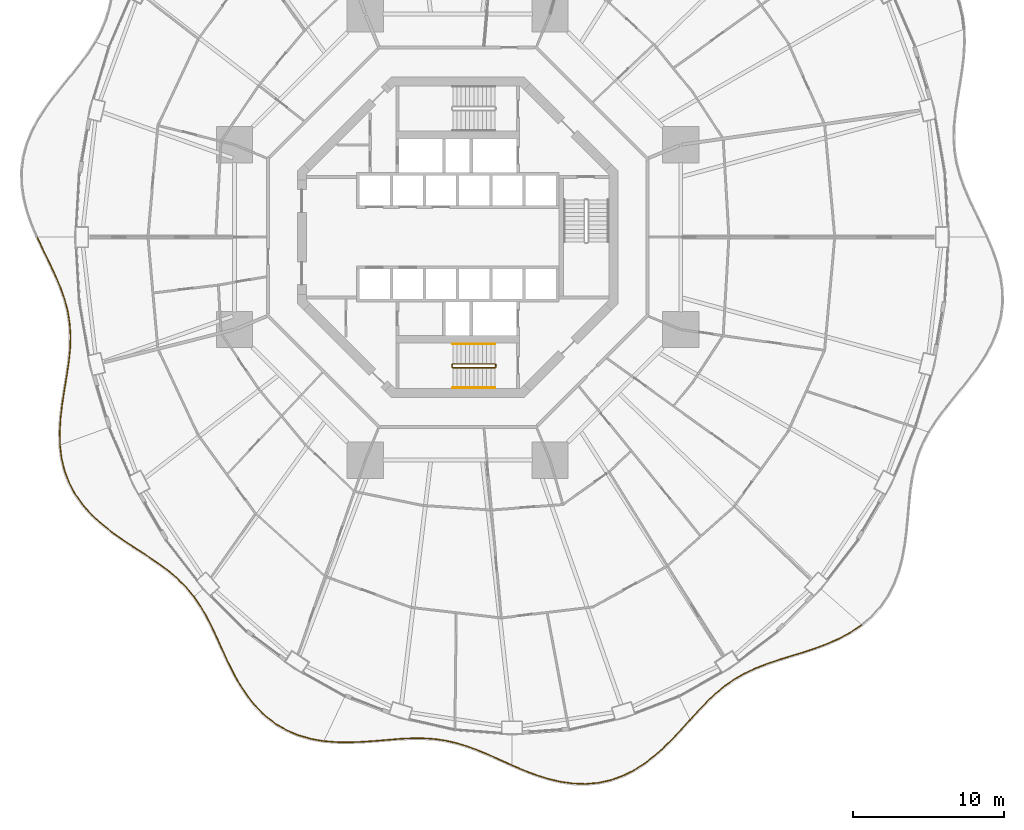
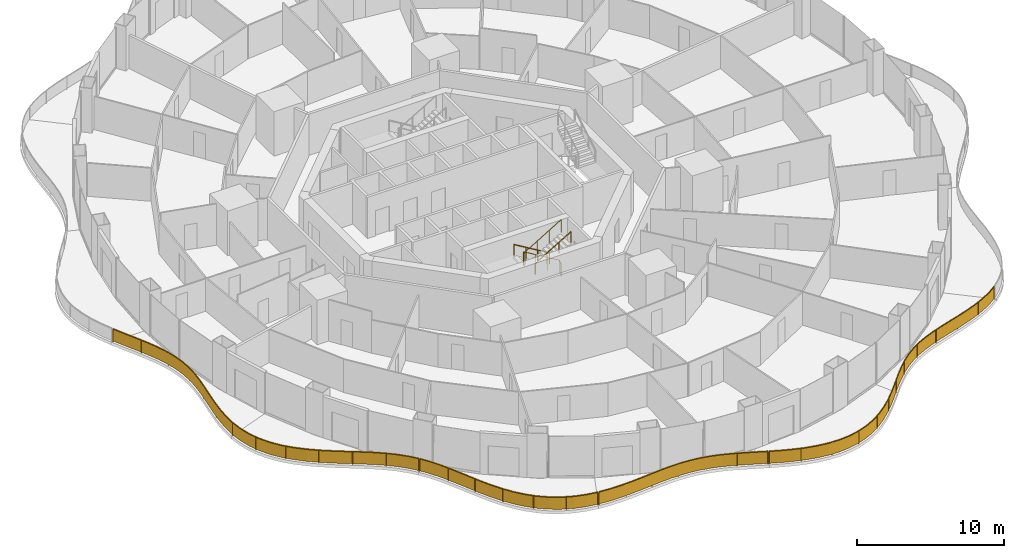
# One storey, part 19 of 21: 9 railings.
"""IFC4 building model written with IfcOpenShell, lengths in metres."""

import ifcopenshell
import ifcopenshell.guid

model = None  # the IFC model being written
_history = None  # IfcOwnerHistory: only IFC2X3 demands one
_inside = {}  # id of a spatial element -> (the spatial element, [elements in it])
_under = {}  # id of a project, library or spatial element -> (it, [spatial elements below it])
_declared = {}  # id of a project -> (the project, [libraries it declares])
_typed = {}  # id of a type object -> (the type object, [elements of that type])
_made_of = {}  # id of a material, layer set ... -> (it, [elements and type objects made of it])


def new_model(schema):
    """Start an empty IFC model of exactly this schema.

    Asked for "IFC4X3", IfcOpenShell would pick the latest addendum, in which some entities
    have other attributes; the version numbers below select the first issue.
    IFC2X3 requires an IfcOwnerHistory on every rooted entity: one is made here for all.
    """
    global model, _history
    if schema == "IFC4X3":
        model = ifcopenshell.file(schema_version=(4, 3, 0, 0))
    else:
        model = ifcopenshell.file(schema=schema)
    _inside.clear()
    _under.clear()
    _declared.clear()
    _typed.clear()
    _made_of.clear()
    _history = None
    if model.schema == "IFC2X3":
        org = make("IfcOrganization", Name="unknown")
        user = make(
            "IfcPersonAndOrganization",
            ThePerson=make("IfcPerson", FamilyName="unknown"),
            TheOrganization=org,
        )
        app = make(
            "IfcApplication",
            ApplicationDeveloper=org,
            Version="unknown",
            ApplicationFullName="unknown",
            ApplicationIdentifier="unknown",
        )
        _history = make(
            "IfcOwnerHistory",
            OwningUser=user,
            OwningApplication=app,
            ChangeAction="ADDED",
            CreationDate=0,
        )
    return model


def make(cls, **values):
    """One entity of the class cls with the attributes given. An attribute that is None is left unset."""
    return model.create_entity(
        cls, **{name: value for name, value in values.items() if value is not None}
    )


def rooted(cls, **values):
    """An entity with a GlobalId (a new one), such as an element, a storey or a relation."""
    return make(cls, GlobalId=ifcopenshell.guid.new(), OwnerHistory=_history, **values)


def si_unit(unit_type, name, prefix=None):
    """IfcSIUnit, for example si_unit("LENGTHUNIT", "METRE", prefix="MILLI")."""
    return make("IfcSIUnit", UnitType=unit_type, Prefix=prefix, Name=name)


def assignment(units):
    """IfcUnitAssignment: the units of a project."""
    return None if units is None else make("IfcUnitAssignment", Units=units)


def point(xyz):
    """IfcCartesianPoint."""
    return None if xyz is None else make("IfcCartesianPoint", Coordinates=xyz)


def direction(xyz):
    """IfcDirection."""
    return None if xyz is None else make("IfcDirection", DirectionRatios=xyz)


def frame(location, z_axis=None, x_axis=None):
    """IfcAxis2Placement3D, a coordinate frame: its origin and axes. An axis left out is left unset."""
    return make(
        "IfcAxis2Placement3D",
        Location=point(location),
        Axis=direction(z_axis),
        RefDirection=direction(x_axis),
    )


def frame_2d(location, x_axis=None):
    """IfcAxis2Placement2D, a coordinate frame in the plane: its origin and x axis."""
    return make(
        "IfcAxis2Placement2D", Location=point(location), RefDirection=direction(x_axis)
    )


def origin():
    """The frame at (0, 0, 0) with its axes left unset."""
    return frame((0.0, 0.0, 0.0))


def origin_2d():
    """The frame at (0, 0) in the plane with its x axis left unset."""
    return frame_2d((0.0, 0.0))


def place(relative_to, where):
    """IfcLocalPlacement: puts the frame where relative to a parent placement (None: the world)."""
    return make(
        "IfcLocalPlacement", PlacementRelTo=relative_to, RelativePlacement=where
    )


def context(
    kind, dimensions, precision=None, world=None, true_north=None, identifier=None
):
    """IfcGeometricRepresentationContext, for example the 3D "Model" context."""
    return make(
        "IfcGeometricRepresentationContext",
        ContextIdentifier=identifier,
        ContextType=kind,
        CoordinateSpaceDimension=dimensions,
        Precision=precision,
        WorldCoordinateSystem=world,
        TrueNorth=true_north,
    )


def subcontext(parent, identifier, kind, view, scale=None):
    """IfcGeometricRepresentationSubContext, for example "Body" below "Model"."""
    return make(
        "IfcGeometricRepresentationSubContext",
        ContextIdentifier=identifier,
        ContextType=kind,
        ParentContext=parent,
        TargetScale=scale,
        TargetView=view,
    )


def project(units=None, contexts=None):
    """IfcProject with its units and contexts."""
    return rooted(
        "IfcProject",
        Name="project",
        RepresentationContexts=contexts,
        UnitsInContext=assignment(units),
    )


def spatial(cls, under=None, at=None, **own):
    """A site, building, storey or space (cls), placed at a placement, below another one or the project."""
    s = rooted(cls, ObjectPlacement=at, **own)
    if under is not None:
        _under.setdefault(under.id(), (under, []))[1].append(s)
    return s


def polyline(points):
    """IfcPolyline through the points."""
    return make("IfcPolyline", Points=[point(p) for p in points])


def profile(cls, at=None, kind="AREA", **sizes):
    """A parametric profile (cls). Its sizes go by their IFC names, for example OverallWidth=200.0."""
    return make(cls, ProfileType=kind, Position=at, **sizes)


def rectangle(**sizes):
    """IfcRectangleProfileDef."""
    return profile("IfcRectangleProfileDef", **sizes)


def circle(**sizes):
    """IfcCircleProfileDef."""
    return profile("IfcCircleProfileDef", **sizes)


def outline(outer, holes=None, kind="AREA"):
    """IfcArbitraryClosedProfileDef: a profile drawn as a closed curve; with holes, ...WithVoids."""
    if holes is None:
        return make("IfcArbitraryClosedProfileDef", ProfileType=kind, OuterCurve=outer)
    return make(
        "IfcArbitraryProfileDefWithVoids",
        ProfileType=kind,
        OuterCurve=outer,
        InnerCurves=holes,
    )


def extrude(swept, where, along, depth):
    """IfcExtrudedAreaSolid: the profile swept, set in the frame where, extruded along a direction by depth."""
    return make(
        "IfcExtrudedAreaSolid",
        SweptArea=swept,
        Position=where,
        ExtrudedDirection=direction(along),
        Depth=depth,
    )


def shape(context_of_items, identifier, shape_type, items):
    """IfcShapeRepresentation: the items that make up one representation, for example the "Body"."""
    return make(
        "IfcShapeRepresentation",
        ContextOfItems=context_of_items,
        RepresentationIdentifier=identifier,
        RepresentationType=shape_type,
        Items=items,
    )


def material(Name=None, Category=None):
    """IfcMaterial."""
    return make("IfcMaterial", Name=Name, Category=Category)


def made_of(thing, what):
    """Note that an element or type object is made of a material, layer set ...; save() writes the relation."""
    if what is not None:
        _made_of.setdefault(what.id(), (what, []))[1].append(thing)
    return thing


def type_object(cls, material=None, **own):
    """A type object (cls), such as IfcWallType, which elements share."""
    return made_of(rooted(cls, **own), material)


def element(
    cls,
    number,
    at=None,
    inside=None,
    cuts=None,
    type_object=None,
    material=None,
    context=None,
    identifier="Body",
    shape_type=None,
    held_by="IfcProductDefinitionShape",
    body=None,
    shapes=None,
    **own,
):
    """One element of the class cls, such as IfcWall. Its Tag is "e" and its number.

    at: its placement. inside: the storey or other place that contains it. cuts: it is an
    opening in that element (IfcRelVoidsElement). A single representation is given by context,
    identifier, shape_type and body (its items); several are given by shapes. held_by: the class
    of the entity that holds the representations. save() writes the other relations.
    """
    e = rooted(cls, Tag="e%d" % number, ObjectPlacement=at, **own)
    if body is not None:
        shapes = [shape(context, identifier, shape_type, body)]
    if shapes is not None:
        e.Representation = make(held_by, Representations=shapes)
    if inside is not None:
        _inside.setdefault(inside.id(), (inside, []))[1].append(e)
    if cuts is not None:
        rooted(
            "IfcRelVoidsElement", RelatingBuildingElement=cuts, RelatedOpeningElement=e
        )
    if type_object is not None:
        _typed.setdefault(type_object.id(), (type_object, []))[1].append(e)
    return made_of(e, material)


def aggregate(whole, parts):
    """IfcRelAggregates: a whole, such as a stair, and the parts it consists of."""
    return rooted("IfcRelAggregates", RelatingObject=whole, RelatedObjects=parts)


def save(model, path):
    """Write the relations noted so far, then the file.

    IfcRelAggregates (storeys below a building ...), IfcRelContainedInSpatialStructure (elements
    in a storey), IfcRelDefinesByType, IfcRelAssociatesMaterial and IfcRelDeclares: one each for
    every whole, place, type object, material and project.
    """
    for whole, parts in _under.values():
        aggregate(whole, parts)
    for where, things in _inside.values():
        rooted(
            "IfcRelContainedInSpatialStructure",
            RelatedElements=things,
            RelatingStructure=where,
        )
    for kind, things in _typed.values():
        rooted("IfcRelDefinesByType", RelatedObjects=things, RelatingType=kind)
    for what, things in _made_of.values():
        rooted("IfcRelAssociatesMaterial", RelatedObjects=things, RelatingMaterial=what)
    for by, libraries in _declared.values():
        rooted("IfcRelDeclares", RelatingContext=by, RelatedDefinitions=libraries)
    model.write(path)


model = new_model("IFC4")

# Units and contexts
model_context = context("Model", 3, precision=1e-05, world=origin(), true_north=direction((0.0, 1.0)))
body_context = subcontext(model_context, "Body", "Model", "MODEL_VIEW")
ifc_project = project(units=[si_unit("LENGTHUNIT", "METRE"), si_unit("AREAUNIT", "SQUARE_METRE"), si_unit("VOLUMEUNIT", "CUBIC_METRE"), si_unit("PLANEANGLEUNIT", "RADIAN"), si_unit("MASSUNIT", "GRAM", prefix="KILO")], contexts=[model_context])

# Site, building, storey
site_placement = place(None, origin())
site = spatial("IfcSite", under=ifc_project, at=site_placement, CompositionType="ELEMENT")
building_placement = place(site_placement, origin())
building = spatial("IfcBuilding", under=site, at=building_placement, Name="Nagisa Residences", CompositionType="ELEMENT")
storey_placement = place(building_placement, frame((0.0, 0.0, 60.300048828125)))
storey = spatial("IfcBuildingStorey", under=building, at=storey_placement, Name="L14", CompositionType="ELEMENT", Elevation=60.300048828125)

# Railings
ifc_material_1 = material(Name="Stainless steel 316", Category="steel")
railing_type_1 = type_object("IfcRailingType", Name="BALCONY GUARD 1100", PredefinedType="BALUSTRADE", material=ifc_material_1)
railing_1_placement = place(storey_placement, frame((-27.84765625, -0.03466796875, 0.0)))
element("IfcRailing", 1, at=railing_1_placement, inside=storey, type_object=railing_type_1, Name="guard:L14:bal08-0", PredefinedType="BALUSTRADE", context=body_context, shape_type="SweptSolid", body=[
    extrude(outline(polyline([(0.402587890625, -0.800048828125), (0.022705078125, 0.010498046875), (-0.022705078125, -0.010498046875), (0.357177734375, -0.821533203125), (0.762451171875, -1.6572265625), (1.148681640625, -2.47802734375), (1.49365234375, -3.287109375), (1.7783203125, -4.09033203125), (1.98779296875, -4.880615234375), (2.11767578125, -5.69189453125), (2.1669921875, -6.51708984375), (2.142578125, -7.361328125), (2.056396484375, -8.228271484375), (1.924560546875, -9.104736328125), (1.775390625, -10.0166015625), (1.630859375, -10.945068359375), (1.5166015625, -11.883544921875), (1.457275390625, -12.822509765625), (1.47216796875, -13.705078125), (1.52197265625, -13.7041015625), (1.507568359375, -12.823486328125), (1.56640625, -11.887939453125), (1.6806640625, -10.951904296875), (1.82470703125, -10.0244140625), (1.973876953125, -9.112548828125), (2.106201171875, -8.234619140625), (2.1923828125, -7.36474609375), (2.21728515625, -6.51611328125), (2.16748046875, -5.6865234375), (2.03662109375, -4.870361328125), (1.826171875, -4.07568359375), (1.54052734375, -3.26904296875), (1.194580078125, -2.45751953125), (0.807373046875, -1.6357421875), (0.402587890625, -0.800048828125)])), frame((0.0, 0.0, 1.050048828125)), (0.0, 0.0, 1.0), 0.050048828125),
    extrude(outline(polyline([(0.38623046875, -0.807861328125), (0.00634765625, 0.0029296875), (-0.00634765625, -0.0029296875), (0.37353515625, -0.813720703125), (0.778564453125, -1.6494140625), (1.165283203125, -2.470703125), (1.510498046875, -3.280517578125), (1.795654296875, -4.0849609375), (2.00537109375, -4.876953125), (2.135498046875, -5.68994140625), (2.18505859375, -6.5166015625), (2.160400390625, -7.362548828125), (2.074462890625, -8.23046875), (1.9423828125, -9.107666015625), (1.793212890625, -10.019287109375), (1.64892578125, -10.947509765625), (1.534423828125, -11.885009765625), (1.475341796875, -12.82275390625), (1.489990234375, -13.70458984375), (1.504150390625, -13.70458984375), (1.489501953125, -12.8232421875), (1.548583984375, -11.886474609375), (1.66259765625, -10.949462890625), (1.806884765625, -10.021728515625), (1.9560546875, -9.109619140625), (2.088134765625, -8.232421875), (2.174560546875, -7.363525390625), (2.19921875, -6.5166015625), (2.149658203125, -5.6884765625), (2.01904296875, -4.8740234375), (1.808837890625, -4.0810546875), (1.523681640625, -3.275634765625), (1.177978515625, -2.46484375), (0.791259765625, -1.6435546875), (0.38623046875, -0.807861328125)])), frame((0.0, 0.0, 0.06005859375)), (0.0, 0.0, 1.0), 0.989990234375),
    extrude(rectangle(XDim=0.0400390625, YDim=0.0400390625, at=origin_2d()), origin(), (0.0, 0.0, 1.0), 1.050048828125),
    extrude(rectangle(XDim=0.0400390625, YDim=0.0400390625, at=origin_2d()), frame((1.01416015625, -2.133544921875, 0.0)), (0.0, 0.0, 1.0), 1.050048828125),
    extrude(rectangle(XDim=0.0400390625, YDim=0.0400390625, at=origin_2d()), frame((1.868408203125, -4.33251953125, 0.0)), (0.0, 0.0, 1.0), 1.050048828125),
    extrude(rectangle(XDim=0.0400390625, YDim=0.0400390625, at=origin_2d()), frame((2.187744140625, -6.6640625, 0.0)), (0.0, 0.0, 1.0), 1.050048828125),
    extrude(rectangle(XDim=0.0400390625, YDim=0.0400390625, at=origin_2d()), frame((1.963623046875, -9.01318359375, 0.0)), (0.0, 0.0, 1.0), 1.050048828125),
    extrude(rectangle(XDim=0.0400390625, YDim=0.0400390625, at=origin_2d()), frame((1.60693359375, -11.34814453125, 0.0)), (0.0, 0.0, 1.0), 1.050048828125),
    extrude(rectangle(XDim=0.0400390625, YDim=0.0400390625, at=origin_2d()), frame((1.4970703125, -13.70458984375, 0.0)), (0.0, 0.0, 1.0), 1.050048828125),
])
railing_2_placement = place(storey_placement, frame((-26.345947265625, -13.81640625, 0.0)))
element("IfcRailing", 2, at=railing_2_placement, inside=storey, type_object=railing_type_1, Name="guard:L14:bal09-0", PredefinedType="BALUSTRADE", context=body_context, shape_type="SweptSolid", body=[
    extrude(outline(polyline([(0.1240234375, -0.828369140625), (0.02490234375, 0.0029296875), (-0.02490234375, -0.0029296875), (0.07470703125, -0.837158203125), (0.281005859375, -1.688232421875), (0.592041015625, -2.5), (1.007080078125, -3.265869140625), (1.520263671875, -3.981201171875), (2.11328125, -4.630859375), (2.78369140625, -5.242919921875), (3.505126953125, -5.8095703125), (4.25732421875, -6.33935546875), (5.018798828125, -6.8427734375), (5.7607421875, -7.320068359375), (6.482177734375, -7.810791015625), (7.16015625, -8.3154296875), (7.78515625, -8.847412109375), (8.35205078125, -9.417724609375), (8.8349609375, -10.002685546875), (8.87353515625, -9.970947265625), (8.38916015625, -9.384033203125), (7.8193359375, -8.810791015625), (7.19140625, -8.2763671875), (6.510986328125, -7.769775390625), (5.78857421875, -7.278564453125), (5.046142578125, -6.80078125), (4.28564453125, -6.2978515625), (3.534912109375, -5.76953125), (2.81591796875, -5.204833984375), (2.14892578125, -4.59521484375), (1.559326171875, -3.949462890625), (1.049560546875, -3.239013671875), (0.637451171875, -2.47900390625), (0.328857421875, -1.673095703125), (0.1240234375, -0.828369140625)])), frame((0.0, 0.0, 1.050048828125)), (0.0, 0.0, 1.0), 0.050048828125),
    extrude(outline(polyline([(0.106201171875, -0.83154296875), (0.0068359375, 0.000732421875), (-0.0068359375, -0.000732421875), (0.092529296875, -0.833984375), (0.29833984375, -1.682861328125), (0.6083984375, -2.492431640625), (1.0224609375, -3.256103515625), (1.534423828125, -3.9697265625), (2.126220703125, -4.617919921875), (2.795166015625, -5.229248046875), (3.515869140625, -5.795166015625), (4.267578125, -6.324462890625), (5.028564453125, -6.82763671875), (5.770751953125, -7.30517578125), (6.492431640625, -7.7958984375), (7.17138671875, -8.30126953125), (7.797607421875, -8.834228515625), (8.365478515625, -9.405517578125), (8.848876953125, -9.9912109375), (8.859619140625, -9.982421875), (8.375732421875, -9.396240234375), (7.806884765625, -8.823974609375), (7.18017578125, -8.29052734375), (6.500732421875, -7.78466796875), (5.778564453125, -7.29345703125), (5.036376953125, -6.81591796875), (4.275390625, -6.312744140625), (3.524169921875, -5.783935546875), (2.804443359375, -5.218505859375), (2.135986328125, -4.608154296875), (1.545166015625, -3.9609375), (1.0341796875, -3.248779296875), (0.62109375, -2.486572265625), (0.3115234375, -1.678466796875), (0.106201171875, -0.83154296875)])), frame((0.0, 0.0, 0.06005859375)), (0.0, 0.0, 1.0), 0.989990234375),
    extrude(rectangle(XDim=0.0400390625, YDim=0.0400390625, at=origin_2d()), origin(), (0.0, 0.0, 1.0), 1.050048828125),
    extrude(rectangle(XDim=0.0400390625, YDim=0.0400390625, at=origin_2d()), frame((0.51806640625, -2.2373046875, 0.0)), (0.0, 0.0, 1.0), 1.050048828125),
    extrude(rectangle(XDim=0.0400390625, YDim=0.0400390625, at=origin_2d()), frame((1.736572265625, -4.180908203125, 0.0)), (0.0, 0.0, 1.0), 1.050048828125),
    extrude(rectangle(XDim=0.0400390625, YDim=0.0400390625, at=origin_2d()), frame((3.44189453125, -5.728271484375, 0.0)), (0.0, 0.0, 1.0), 1.050048828125),
    extrude(rectangle(XDim=0.0400390625, YDim=0.0400390625, at=origin_2d()), frame((5.34912109375, -7.025390625, 0.0)), (0.0, 0.0, 1.0), 1.050048828125),
    extrude(rectangle(XDim=0.0400390625, YDim=0.0400390625, at=origin_2d()), frame((7.23779296875, -8.3486328125, 0.0)), (0.0, 0.0, 1.0), 1.050048828125),
    extrude(rectangle(XDim=0.0400390625, YDim=0.0400390625, at=origin_2d()), frame((8.854248046875, -9.98681640625, 0.0)), (0.0, 0.0, 1.0), 1.050048828125),
])
railing_3_placement = place(storey_placement, frame((-17.45068359375, -23.85888671875, 0.0)))
element("IfcRailing", 3, at=railing_3_placement, inside=storey, type_object=railing_type_1, Name="guard:L14:bal10-0", PredefinedType="BALUSTRADE", context=body_context, shape_type="SweptSolid", body=[
    extrude(outline(polyline([(0.434326171875, -0.58837890625), (0.020751953125, 0.01416015625), (-0.020751953125, -0.01416015625), (0.391845703125, -0.615234375), (0.788818359375, -1.29638671875), (1.157470703125, -2.0205078125), (1.511474609375, -2.780029296875), (1.865478515625, -3.5634765625), (2.222412109375, -4.34765625), (2.620361328125, -5.137451171875), (3.060302734375, -5.904541015625), (3.552001953125, -6.632080078125), (4.1025390625, -7.303466796875), (4.703369140625, -7.8955078125), (5.377197265625, -8.412353515625), (6.111328125, -8.839599609375), (6.897705078125, -9.171875), (7.72705078125, -9.41064453125), (8.5419921875, -9.55126953125), (8.55029296875, -9.501953125), (7.73828125, -9.36181640625), (6.914306640625, -9.12451171875), (6.1337890625, -8.794677734375), (5.405029296875, -8.370849609375), (4.736083984375, -7.85791015625), (4.1396484375, -7.269775390625), (3.592041015625, -6.602294921875), (3.102783203125, -5.878173828125), (2.664306640625, -5.113525390625), (2.267333984375, -4.326171875), (1.910888671875, -3.54296875), (1.556884765625, -2.759033203125), (1.202392578125, -1.99853515625), (0.832763671875, -1.2724609375), (0.434326171875, -0.58837890625)])), frame((0.0, 0.0, 1.050048828125)), (0.0, 0.0, 1.0), 0.050048828125),
    extrude(outline(polyline([(0.4189453125, -0.59814453125), (0.005859375, 0.00390625), (-0.005859375, -0.00390625), (0.4072265625, -0.60546875), (0.8046875, -1.287841796875), (1.173583984375, -2.0126953125), (1.52783203125, -2.7724609375), (1.8818359375, -3.55615234375), (2.238525390625, -4.33984375), (2.63623046875, -5.12890625), (3.07568359375, -5.89501953125), (3.56640625, -6.621337890625), (4.115966796875, -7.291259765625), (4.715087890625, -7.882080078125), (5.38720703125, -8.3974609375), (6.119384765625, -8.823486328125), (6.903564453125, -9.15478515625), (7.731201171875, -9.39306640625), (8.544921875, -9.533447265625), (8.54736328125, -9.519775390625), (7.734130859375, -9.37939453125), (6.908447265625, -9.1416015625), (6.125732421875, -8.810791015625), (5.39501953125, -8.3857421875), (4.724365234375, -7.871337890625), (4.126220703125, -7.281982421875), (3.57763671875, -6.613037109375), (3.08740234375, -5.8876953125), (2.6484375, -5.1220703125), (2.251220703125, -4.333984375), (1.89453125, -3.55029296875), (1.54052734375, -2.7666015625), (1.186279296875, -2.00634765625), (0.81689453125, -1.281005859375), (0.4189453125, -0.59814453125)])), frame((0.0, 0.0, 0.06005859375)), (0.0, 0.0, 1.0), 0.989990234375),
    extrude(rectangle(XDim=0.0400390625, YDim=0.0400390625, at=origin_2d()), origin(), (0.0, 0.0, 1.0), 1.050048828125),
    extrude(rectangle(XDim=0.0400390625, YDim=0.0400390625, at=origin_2d()), frame((1.1396484375, -1.9306640625, 0.0)), (0.0, 0.0, 1.0), 1.050048828125),
    extrude(rectangle(XDim=0.0400390625, YDim=0.0400390625, at=origin_2d()), frame((2.077880859375, -3.969970703125, 0.0)), (0.0, 0.0, 1.0), 1.050048828125),
    extrude(rectangle(XDim=0.0400390625, YDim=0.0400390625, at=origin_2d()), frame((3.1240234375, -5.954345703125, 0.0)), (0.0, 0.0, 1.0), 1.050048828125),
    extrude(rectangle(XDim=0.0400390625, YDim=0.0400390625, at=origin_2d()), frame((4.533447265625, -7.693115234375, 0.0)), (0.0, 0.0, 1.0), 1.050048828125),
    extrude(rectangle(XDim=0.0400390625, YDim=0.0400390625, at=origin_2d()), frame((6.390869140625, -8.930419921875, 0.0)), (0.0, 0.0, 1.0), 1.050048828125),
    extrude(rectangle(XDim=0.0400390625, YDim=0.0400390625, at=origin_2d()), frame((8.546142578125, -9.526611328125, 0.0)), (0.0, 0.0, 1.0), 1.050048828125),
])
railing_4_placement = place(storey_placement, frame((-8.827880859375, -33.39453125, 0.0)))
element("IfcRailing", 4, at=railing_4_placement, inside=storey, type_object=railing_type_1, Name="guard:L14:bal11-0", PredefinedType="BALUSTRADE", context=body_context, shape_type="SweptSolid", body=[
    extrude(outline(polyline([(0.802490234375, -0.040771484375), (0.001953125, 0.02490234375), (-0.001953125, -0.02490234375), (0.800048828125, -0.090576171875), (1.658447265625, -0.10302734375), (2.51611328125, -0.070556640625), (3.36376953125, -0.010986328125), (4.19580078125, 0.058349609375), (4.990478515625, 0.125244140625), (5.779296875, 0.16259765625), (6.54638671875, 0.16259765625), (7.29345703125, 0.114013671875), (8.02587890625, 0.010009765625), (8.7314453125, -0.149658203125), (9.451904296875, -0.3681640625), (10.17626953125, -0.636962890625), (10.910400390625, -0.945556640625), (11.65966796875, -1.280029296875), (12.38330078125, -1.607177734375), (12.40380859375, -1.561767578125), (11.68017578125, -1.234619140625), (10.930419921875, -0.899658203125), (10.19482421875, -0.590576171875), (9.468017578125, -0.32080078125), (8.744140625, -0.101318359375), (8.03515625, 0.059326171875), (7.298828125, 0.163818359375), (6.5478515625, 0.212890625), (5.7783203125, 0.212890625), (4.987060546875, 0.175048828125), (4.19140625, 0.108154296875), (3.35986328125, 0.038818359375), (2.51318359375, -0.020751953125), (1.657958984375, -0.052734375), (0.802490234375, -0.040771484375)])), frame((0.0, 0.0, 1.050048828125)), (0.0, 0.0, 1.0), 0.050048828125),
    extrude(outline(polyline([(0.801513671875, -0.05859375), (0.00048828125, 0.007080078125), (-0.00048828125, -0.007080078125), (0.801025390625, -0.07275390625), (1.658203125, -0.0849609375), (2.51513671875, -0.052734375), (3.3623046875, 0.0068359375), (4.194091796875, 0.076171875), (4.9892578125, 0.14306640625), (5.779052734375, 0.1806640625), (6.546875, 0.1806640625), (7.29541015625, 0.1318359375), (8.029296875, 0.02783203125), (8.736083984375, -0.13232421875), (9.457763671875, -0.35107421875), (10.182861328125, -0.620361328125), (10.917724609375, -0.928955078125), (11.6669921875, -1.263671875), (12.390625, -1.5908203125), (12.396484375, -1.578125), (11.6728515625, -1.2509765625), (10.923095703125, -0.916259765625), (10.188232421875, -0.607177734375), (9.462158203125, -0.337890625), (8.739501953125, -0.11865234375), (8.03173828125, 0.04150390625), (7.296875, 0.14599609375), (6.54736328125, 0.19482421875), (5.778564453125, 0.19482421875), (4.98828125, 0.1572265625), (4.193115234375, 0.09033203125), (3.361328125, 0.02099609375), (2.51416015625, -0.03857421875), (1.658203125, -0.07080078125), (0.801513671875, -0.05859375)])), frame((0.0, 0.0, 0.06005859375)), (0.0, 0.0, 1.0), 0.989990234375),
    extrude(rectangle(XDim=0.0400390625, YDim=0.0400390625, at=origin_2d()), origin(), (0.0, 0.0, 1.0), 1.050048828125),
    extrude(rectangle(XDim=0.0400390625, YDim=0.0400390625, at=origin_2d()), frame((2.116455078125, -0.060546875, 0.0)), (0.0, 0.0, 1.0), 1.050048828125),
    extrude(rectangle(XDim=0.0400390625, YDim=0.0400390625, at=origin_2d()), frame((4.230712890625, 0.08642578125, 0.0)), (0.0, 0.0, 1.0), 1.050048828125),
    extrude(rectangle(XDim=0.0400390625, YDim=0.0400390625, at=origin_2d()), frame((6.3466796875, 0.187744140625, 0.0)), (0.0, 0.0, 1.0), 1.050048828125),
    extrude(rectangle(XDim=0.0400390625, YDim=0.0400390625, at=origin_2d()), frame((8.44677734375, -0.0595703125, 0.0)), (0.0, 0.0, 1.0), 1.050048828125),
    extrude(rectangle(XDim=0.0400390625, YDim=0.0400390625, at=origin_2d()), frame((10.455322265625, -0.72705078125, 0.0)), (0.0, 0.0, 1.0), 1.050048828125),
    extrude(rectangle(XDim=0.0400390625, YDim=0.0400390625, at=origin_2d()), frame((12.3935546875, -1.58447265625, 0.0)), (0.0, 0.0, 1.0), 1.050048828125),
])
railing_5_placement = place(storey_placement, frame((3.634765625, -35.010986328125, 0.0)))
element("IfcRailing", 5, at=railing_5_placement, inside=storey, type_object=railing_type_1, Name="guard:L14:bal12-0", PredefinedType="BALUSTRADE", context=body_context, shape_type="SweptSolid", body=[
    extrude(outline(polyline([(0.751708984375, -0.2958984375), (0.009765625, 0.02294921875), (-0.009765625, -0.02294921875), (0.733154296875, -0.34228515625), (1.53857421875, -0.648681640625), (2.360595703125, -0.907958984375), (3.19384765625, -1.1025390625), (4.031494140625, -1.218017578125), (4.85107421875, -1.24560546875), (5.67724609375, -1.172607421875), (6.4853515625, -0.99853515625), (7.267578125, -0.7255859375), (8.01904296875, -0.35986328125), (8.71826171875, 0.08349609375), (9.39697265625, 0.600830078125), (10.03955078125, 1.170654296875), (10.64892578125, 1.77587890625), (11.23095703125, 2.397705078125), (11.760009765625, 2.986083984375), (11.722900390625, 3.019775390625), (11.19384765625, 2.431396484375), (10.61279296875, 1.810546875), (10.00537109375, 1.207275390625), (9.365234375, 0.639404296875), (8.689453125, 0.12451171875), (7.99462890625, -0.31591796875), (7.24853515625, -0.67919921875), (6.4716796875, -0.9501953125), (5.669921875, -1.122802734375), (4.849609375, -1.1953125), (4.035888671875, -1.168212890625), (3.203125, -1.05322265625), (2.373779296875, -0.859619140625), (1.55517578125, -0.601318359375), (0.751708984375, -0.2958984375)])), frame((0.0, 0.0, 1.050048828125)), (0.0, 0.0, 1.0), 0.050048828125),
    extrude(outline(polyline([(0.7451171875, -0.3125), (0.002685546875, 0.00634765625), (-0.002685546875, -0.00634765625), (0.73974609375, -0.32568359375), (1.544677734375, -0.631591796875), (2.365234375, -0.890625), (3.197265625, -1.084716796875), (4.033203125, -1.2001953125), (4.8505859375, -1.2275390625), (5.674560546875, -1.154541015625), (6.48046875, -0.981201171875), (7.2607421875, -0.708984375), (8.01025390625, -0.343994140625), (8.707763671875, 0.09814453125), (9.385498046875, 0.61474609375), (10.02734375, 1.183837890625), (10.635986328125, 1.788330078125), (11.217529296875, 2.409912109375), (11.74658203125, 2.998291015625), (11.736328125, 3.007568359375), (11.207275390625, 2.419189453125), (10.625732421875, 1.798095703125), (10.017578125, 1.194091796875), (9.376708984375, 0.62548828125), (8.699951171875, 0.10986328125), (8.00341796875, -0.331787109375), (7.25537109375, -0.69580078125), (6.4765625, -0.967529296875), (5.672607421875, -1.140869140625), (4.85009765625, -1.21337890625), (4.0341796875, -1.18603515625), (3.19970703125, -1.071044921875), (2.369140625, -0.876953125), (1.549072265625, -0.618408203125), (0.7451171875, -0.3125)])), frame((0.0, 0.0, 0.06005859375)), (0.0, 0.0, 1.0), 0.989990234375),
    extrude(rectangle(XDim=0.0400390625, YDim=0.0400390625, at=origin_2d()), origin(), (0.0, 0.0, 1.0), 1.050048828125),
    extrude(rectangle(XDim=0.0400390625, YDim=0.0400390625, at=origin_2d()), frame((2.0830078125, -0.794189453125, 0.0)), (0.0, 0.0, 1.0), 1.050048828125),
    extrude(rectangle(XDim=0.0400390625, YDim=0.0400390625, at=origin_2d()), frame((4.26953125, -1.200927734375, 0.0)), (0.0, 0.0, 1.0), 1.050048828125),
    extrude(rectangle(XDim=0.0400390625, YDim=0.0400390625, at=origin_2d()), frame((6.478271484375, -0.974365234375, 0.0)), (0.0, 0.0, 1.0), 1.050048828125),
    extrude(rectangle(XDim=0.0400390625, YDim=0.0400390625, at=origin_2d()), frame((8.489990234375, -0.031494140625, 0.0)), (0.0, 0.0, 1.0), 1.050048828125),
    extrude(rectangle(XDim=0.0400390625, YDim=0.0400390625, at=origin_2d()), frame((10.21337890625, 1.37841796875, 0.0)), (0.0, 0.0, 1.0), 1.050048828125),
    extrude(rectangle(XDim=0.0400390625, YDim=0.0400390625, at=origin_2d()), frame((11.741455078125, 3.0029296875, 0.0)), (0.0, 0.0, 1.0), 1.050048828125),
])
railing_6_placement = place(storey_placement, frame((15.425537109375, -31.950927734375, 0.0)))
element("IfcRailing", 6, at=railing_6_placement, inside=storey, type_object=railing_type_1, Name="guard:L14:bal13-0", PredefinedType="BALUSTRADE", context=body_context, shape_type="SweptSolid", body=[
    extrude(outline(polyline([(0.520751953125, 0.6103515625), (-0.0185546875, 0.016845703125), (0.0185546875, -0.016845703125), (0.557373046875, 0.576171875), (1.127197265625, 1.16748046875), (1.70703125, 1.712890625), (2.30712890625, 2.204833984375), (2.9365234375, 2.640625), (3.58740234375, 3.012451171875), (4.292236328125, 3.344482421875), (5.036376953125, 3.63720703125), (5.817138671875, 3.903076171875), (6.626708984375, 4.156982421875), (7.443603515625, 4.40380859375), (8.278564453125, 4.680908203125), (9.10498046875, 4.992431640625), (9.906982421875, 5.351806640625), (10.6689453125, 5.768798828125), (11.33740234375, 6.223388671875), (11.30908203125, 6.264892578125), (10.642578125, 5.811767578125), (9.884521484375, 5.396728515625), (9.0859375, 5.038818359375), (8.261962890625, 4.728271484375), (7.428466796875, 4.45166015625), (6.612060546875, 4.204833984375), (5.801513671875, 3.950439453125), (5.019287109375, 3.68408203125), (4.272216796875, 3.390380859375), (3.564453125, 3.056884765625), (2.90966796875, 2.68310546875), (2.27685546875, 2.244873046875), (1.673828125, 1.75048828125), (1.092041015625, 1.203125), (0.520751953125, 0.6103515625)])), frame((0.0, 0.0, 1.050048828125)), (0.0, 0.0, 1.0), 0.050048828125),
    extrude(outline(polyline([(0.533935546875, 0.59814453125), (-0.005126953125, 0.004638671875), (0.005126953125, -0.004638671875), (0.544189453125, 0.58837890625), (1.114501953125, 1.180419921875), (1.695068359375, 1.726318359375), (2.296142578125, 2.21923828125), (2.9267578125, 2.656005859375), (3.5791015625, 3.028564453125), (4.284912109375, 3.361083984375), (5.0302734375, 3.654052734375), (5.8115234375, 3.920166015625), (6.621337890625, 4.17431640625), (7.438232421875, 4.421142578125), (8.272705078125, 4.697998046875), (9.09814453125, 5.009033203125), (9.89892578125, 5.367919921875), (10.659423828125, 5.784423828125), (11.3271484375, 6.23828125), (11.3193359375, 6.25), (10.652099609375, 5.796142578125), (9.892578125, 5.380615234375), (9.0927734375, 5.022216796875), (8.267822265625, 4.711181640625), (7.433837890625, 4.434326171875), (6.617431640625, 4.1875), (5.80712890625, 3.933349609375), (5.025390625, 3.667236328125), (4.279541015625, 3.373779296875), (3.57275390625, 3.040771484375), (2.91943359375, 2.667724609375), (2.287841796875, 2.23046875), (1.685791015625, 1.737060546875), (1.104736328125, 1.190185546875), (0.533935546875, 0.59814453125)])), frame((0.0, 0.0, 0.06005859375)), (0.0, 0.0, 1.0), 0.989990234375),
    extrude(rectangle(XDim=0.0400390625, YDim=0.0400390625, at=origin_2d()), origin(), (0.0, 0.0, 1.0), 1.050048828125),
    extrude(rectangle(XDim=0.0400390625, YDim=0.0400390625, at=origin_2d()), frame((1.52197265625, 1.5732421875, 0.0)), (0.0, 0.0, 1.0), 1.050048828125),
    extrude(rectangle(XDim=0.0400390625, YDim=0.0400390625, at=origin_2d()), frame((3.28173828125, 2.86669921875, 0.0)), (0.0, 0.0, 1.0), 1.050048828125),
    extrude(rectangle(XDim=0.0400390625, YDim=0.0400390625, at=origin_2d()), frame((5.28271484375, 3.74755859375, 0.0)), (0.0, 0.0, 1.0), 1.050048828125),
    extrude(rectangle(XDim=0.0400390625, YDim=0.0400390625, at=origin_2d()), frame((7.37060546875, 4.407958984375, 0.0)), (0.0, 0.0, 1.0), 1.050048828125),
    extrude(rectangle(XDim=0.0400390625, YDim=0.0400390625, at=origin_2d()), frame((9.424560546875, 5.1630859375, 0.0)), (0.0, 0.0, 1.0), 1.050048828125),
    extrude(rectangle(XDim=0.0400390625, YDim=0.0400390625, at=origin_2d()), frame((11.3232421875, 6.244140625, 0.0)), (0.0, 0.0, 1.0), 1.050048828125),
])
ifc_material_2 = material(Name="Stainless steel", Category="steel")
railing_type_2 = type_object("IfcRailingType", Name="Stair guard 1100", PredefinedType="GUARDRAIL", material=ifc_material_2)
railing_7_placement = place(storey_placement, frame((2.52490234375, -8.599609375, 0.0)))
element("IfcRailing", 7, at=railing_7_placement, inside=storey, type_object=railing_type_2, Name="L14 ST-S stair guard 1", PredefinedType="GUARDRAIL", context=body_context, shape_type="SweptSolid", body=[
    extrude(circle(Radius=0.02392578125, at=origin_2d()), frame((0.0, 0.0, 1.076171875), z_axis=(0.0, 1.0, 0.0), x_axis=(-1.0, 0.0, 0.0)), (0.0, 0.0, 1.0), 0.14990234375),
    extrude(circle(Radius=0.02392578125, at=origin_2d()), frame((0.0, 0.14990234375, 1.076171875), z_axis=(-0.273006030465, 0.27434429532, 0.922064485248), x_axis=(-0.708833529934, -0.705375805398, 0.0)), (0.0, 0.0, 1.0), 0.182373046875),
    extrude(circle(Radius=0.02392578125, at=origin_2d()), frame((-0.0498046875, 0.199951171875, 1.244140625), z_axis=(-0.857275202839, 0.0, 0.514858452973), x_axis=(0.0, -1.0, 0.0)), (0.0, 0.0, 1.0), 3.26611328125),
    extrude(circle(Radius=0.02392578125, at=origin_2d()), frame((-2.849853515625, 0.199951171875, 2.92578125), z_axis=(-0.707106781187, -0.707106781187, 0.0), x_axis=(0.707106781187, -0.707106781187, 0.0)), (0.0, 0.0, 1.0), 0.07080078125),
    extrude(circle(Radius=0.02392578125, at=origin_2d()), frame((-2.89990234375, 0.14990234375, 2.92578125), z_axis=(0.0, -1.0, 0.0), x_axis=(1.0, 0.0, 0.0)), (0.0, 0.0, 1.0), 0.14990234375),
    extrude(circle(Radius=0.02392578125, at=origin_2d()), frame((-2.89990234375, 0.0, 2.92578125), z_axis=(0.274243871929, -0.274243871929, 0.92172696468), x_axis=(0.707106781187, 0.707106781187, 0.0)), (0.0, 0.0, 1.0), 0.1826171875),
    extrude(circle(Radius=0.02392578125, at=origin_2d()), frame((-2.849853515625, -0.050048828125, 3.09423828125), z_axis=(0.857242210791, 0.0, 0.514913383045), x_axis=(0.0, 1.0, 0.0)), (0.0, 0.0, 1.0), 3.266357421875),
    extrude(circle(Radius=0.02099609375, at=origin_2d()), origin(), (0.0, 0.0, 1.0), 1.052001953125),
    extrude(circle(Radius=0.02099609375, at=origin_2d()), frame((0.0, 0.14990234375, 0.0)), (0.0, 0.0, 1.0), 1.052001953125),
    extrude(circle(Radius=0.02099609375, at=origin_2d()), frame((-0.0498046875, 0.199951171875, 0.168212890625)), (0.0, 0.0, 1.0), 1.052001953125),
    extrude(circle(Radius=0.02099609375, at=origin_2d()), frame((-0.983154296875, 0.199951171875, 0.728759765625)), (0.0, 0.0, 1.0), 1.052001953125),
    extrude(circle(Radius=0.02099609375, at=origin_2d()), frame((-1.91650390625, 0.199951171875, 1.289306640625)), (0.0, 0.0, 1.0), 1.052001953125),
    extrude(circle(Radius=0.02099609375, at=origin_2d()), frame((-2.849853515625, 0.199951171875, 1.849853515625)), (0.0, 0.0, 1.0), 1.052001953125),
    extrude(circle(Radius=0.02099609375, at=origin_2d()), frame((-2.89990234375, 0.14990234375, 1.849853515625)), (0.0, 0.0, 1.0), 1.052001953125),
    extrude(circle(Radius=0.02099609375, at=origin_2d()), frame((-2.89990234375, 0.0, 1.849853515625)), (0.0, 0.0, 1.0), 1.052001953125),
    extrude(circle(Radius=0.02099609375, at=origin_2d()), frame((-2.849853515625, -0.050048828125, 2.01806640625)), (0.0, 0.0, 1.0), 1.052001953125),
    extrude(circle(Radius=0.02099609375, at=origin_2d()), frame((-1.91650390625, -0.050048828125, 2.57861328125)), (0.0, 0.0, 1.0), 1.052001953125),
    extrude(circle(Radius=0.02099609375, at=origin_2d()), frame((-0.983154296875, -0.050048828125, 3.139404296875)), (0.0, 0.0, 1.0), 1.052001953125),
    extrude(circle(Radius=0.02099609375, at=origin_2d()), frame((-0.0498046875, -0.050048828125, 3.699951171875)), (0.0, 0.0, 1.0), 1.052001953125),
])
ifc_material_3 = material(Name="Stainless steel", Category="steel")
railing_type_3 = type_object("IfcRailingType", Name="Stair handrail 900", PredefinedType="HANDRAIL", material=ifc_material_3)
railing_8_placement = place(storey_placement, frame((2.47509765625, -7.07470703125, 0.168212890625)))
element("IfcRailing", 8, at=railing_8_placement, inside=storey, type_object=railing_type_3, Name="L14 ST-S stair handrail 1", PredefinedType="HANDRAIL", context=body_context, shape_type="SweptSolid", body=[
    extrude(circle(Radius=0.02392578125, at=origin_2d()), frame((0.0, 0.0, 0.8759765625), z_axis=(-0.857275202839, 0.0, 0.514858452973), x_axis=(0.0, -1.0, 0.0)), (0.0, 0.0, 1.0), 3.26611328125),
    extrude(circle(Radius=0.02099609375, at=origin_2d()), origin(), (0.0, 0.0, 1.0), 0.851806640625),
    extrude(circle(Radius=0.02099609375, at=origin_2d()), frame((-0.933349609375, 0.0, 0.560546875)), (0.0, 0.0, 1.0), 0.851806640625),
    extrude(circle(Radius=0.02099609375, at=origin_2d()), frame((-1.86669921875, 0.0, 1.12109375)), (0.0, 0.0, 1.0), 0.851806640625),
    extrude(circle(Radius=0.02099609375, at=origin_2d()), frame((-2.800048828125, 0.0, 1.681640625)), (0.0, 0.0, 1.0), 0.851806640625),
])
railing_9_placement = place(storey_placement, frame((-0.324951171875, -9.974609375, 2.01806640625)))
element("IfcRailing", 9, at=railing_9_placement, inside=storey, type_object=railing_type_3, Name="L14 ST-S stair handrail 2", PredefinedType="HANDRAIL", context=body_context, shape_type="SweptSolid", body=[
    extrude(circle(Radius=0.02392578125, at=origin_2d()), frame((0.0, 0.0, 0.8759765625), z_axis=(0.857242210791, 0.0, 0.514913383045), x_axis=(0.0, 1.0, 0.0)), (0.0, 0.0, 1.0), 3.266357421875),
    extrude(circle(Radius=0.02099609375, at=origin_2d()), origin(), (0.0, 0.0, 1.0), 0.851806640625),
    extrude(circle(Radius=0.02099609375, at=origin_2d()), frame((0.933349609375, 0.0, 0.560546875)), (0.0, 0.0, 1.0), 0.851806640625),
    extrude(circle(Radius=0.02099609375, at=origin_2d()), frame((1.86669921875, 0.0, 1.121337890625)), (0.0, 0.0, 1.0), 0.851806640625),
    extrude(circle(Radius=0.02099609375, at=origin_2d()), frame((2.800048828125, 0.0, 1.681884765625)), (0.0, 0.0, 1.0), 0.851806640625),
])

save(model, "model.ifc")
